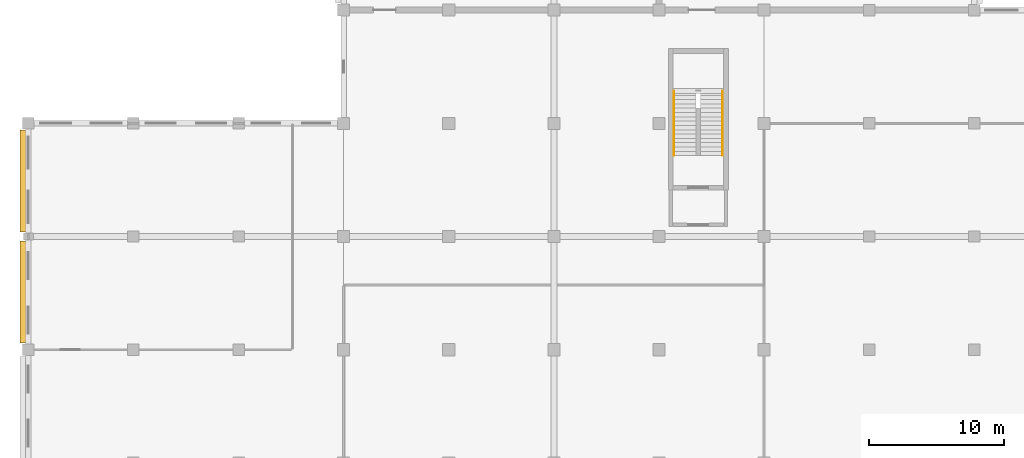
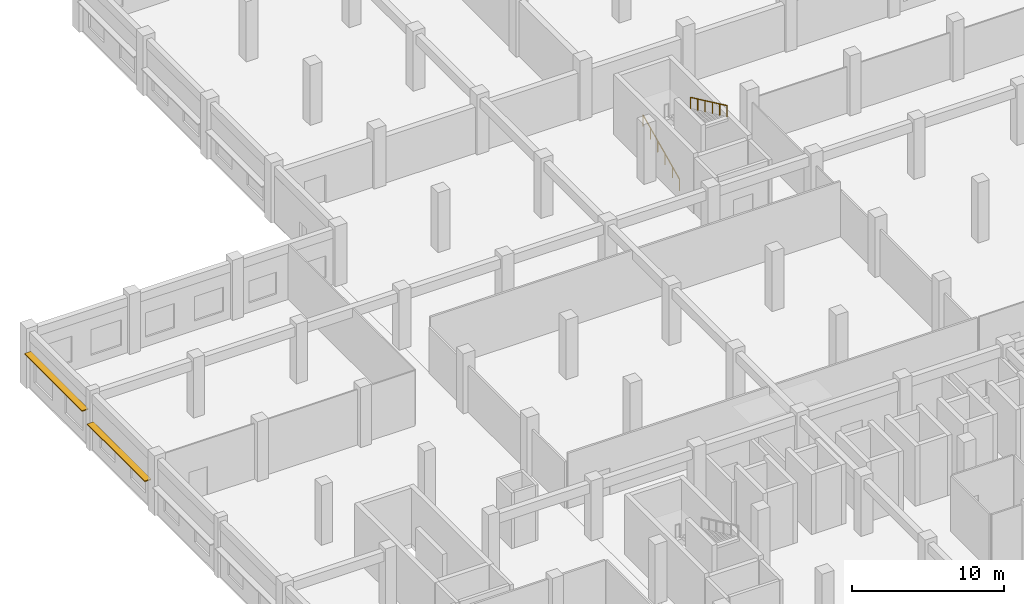
# One storey, part 73 of 79: 2 railings, 2 shading devices.
"""IFC4 building model written with IfcOpenShell, lengths in metres."""

from ifc_helpers import new_model, si_unit, direction, frame, origin, origin_2d, place, context, subcontext, project, spatial, rectangle, circle, extrude, material, layer, layer_set, type_object, element, save


model = new_model("IFC4")

# Units and contexts
model_context = context("Model", 3, precision=1e-05, world=origin(), true_north=direction((0.0, 1.0)))
body_context = subcontext(model_context, "Body", "Model", "MODEL_VIEW")
ifc_project = project(units=[si_unit("LENGTHUNIT", "METRE"), si_unit("AREAUNIT", "SQUARE_METRE"), si_unit("VOLUMEUNIT", "CUBIC_METRE"), si_unit("PLANEANGLEUNIT", "RADIAN"), si_unit("MASSUNIT", "GRAM", prefix="KILO"), si_unit("THERMODYNAMICTEMPERATUREUNIT", "KELVIN"), si_unit("POWERUNIT", "WATT")], contexts=[model_context])

# Site, building, storey
site_placement = place(None, origin())
site = spatial("IfcSite", under=ifc_project, at=site_placement, CompositionType="ELEMENT")
building_placement = place(site_placement, origin())
building = spatial("IfcBuilding", under=site, at=building_placement, Name="Srebrne Nadtorze General Hospital", CompositionType="ELEMENT")
storey_placement = place(building_placement, frame((0.0, 0.0, 4.800048828125)))
storey = spatial("IfcBuildingStorey", under=building, at=storey_placement, Name="L01", CompositionType="ELEMENT", Elevation=4.800048828125)

# Shading devices
ifc_material_1 = material(Name="Anodised Aluminium", Category="aluminium")
ifc_layer = layer(ifc_material_1, 0.080078125)
ifc_layer_set = layer_set([ifc_layer], Name="Anodised Aluminium")
shading_device_type = type_object("IfcShadingDeviceType", Name="Hisashi horizontal aluminium sunshade", PredefinedType="JALOUSIE", material=ifc_layer_set)
for number, where, z_axis, x_axis, name in (
    (1, (-0.3798828125, 71.487548828125, 2.219970703125), (0.0, 0.0, 1.0), (1.0, 0.0, 0.0), "Hisashi horizontal sunshade eave LV-098"),
    (2, (-0.3798828125, 79.71240234375, 2.869873046875), (0.0, 0.0, 1.0), (1.0, 0.0, 0.0), "Hisashi horizontal sunshade eave LV-099"),
):
    element("IfcShadingDevice", number, at=place(storey_placement, frame(where, z_axis=z_axis, x_axis=x_axis)), inside=storey, type_object=shading_device_type, Name=name, PredefinedType="JALOUSIE", context=body_context, shape_type="SweptSolid", body=[
        extrude(rectangle(XDim=0.47998046875, YDim=7.56494140625, at=origin_2d()), origin(), (0.0, 0.0, 1.0), 0.080078125),
    ])

# Railings
ifc_material_2 = material(Name="Stainless Steel 316", Category="steel")
railing_type = type_object("IfcRailingType", Name="Tubular stainless handrail 920", PredefinedType="HANDRAIL", material=ifc_material_2)
railing_1_placement = place(storey_placement, frame((47.929931640625, 81.60009765625, 0.14990234375)))
element("IfcRailing", 3, at=railing_1_placement, inside=storey, type_object=railing_type, Name="Stair flight handrail ST-02-L01 F1", PredefinedType="HANDRAIL", context=body_context, shape_type="SweptSolid", body=[
    extrude(circle(Radius=0.02392578125, at=origin_2d()), frame((0.0, 0.0, 0.89599609375), z_axis=(0.0, 0.905452298538, 0.424448035774), x_axis=(-1.0, 0.0, 0.0)), (0.0, 0.0, 1.0), 5.301025390625),
    extrude(circle(Radius=0.02099609375, at=origin_2d()), origin(), (0.0, 0.0, 1.0), 0.871826171875),
    extrude(circle(Radius=0.02099609375, at=origin_2d()), frame((0.0, 0.9599609375, 0.449951171875)), (0.0, 0.0, 1.0), 0.871826171875),
    extrude(circle(Radius=0.02099609375, at=origin_2d()), frame((0.0, 1.919921875, 0.89990234375)), (0.0, 0.0, 1.0), 0.871826171875),
    extrude(circle(Radius=0.02099609375, at=origin_2d()), frame((0.0, 2.8798828125, 1.35009765625)), (0.0, 0.0, 1.0), 0.871826171875),
    extrude(circle(Radius=0.02099609375, at=origin_2d()), frame((0.0, 3.83984375, 1.800048828125)), (0.0, 0.0, 1.0), 0.871826171875),
    extrude(circle(Radius=0.02099609375, at=origin_2d()), frame((0.0, 4.7998046875, 2.25)), (0.0, 0.0, 1.0), 0.871826171875),
])
railing_2_placement = place(storey_placement, frame((51.52001953125, 86.39990234375, 2.550048828125)))
element("IfcRailing", 4, at=railing_2_placement, inside=storey, type_object=railing_type, Name="Stair flight handrail ST-02-L01 F2", PredefinedType="HANDRAIL", context=body_context, shape_type="SweptSolid", body=[
    extrude(circle(Radius=0.02392578125, at=origin_2d()), frame((0.0, 0.0, 0.89599609375), z_axis=(0.0, -0.905452298538, 0.424448035774), x_axis=(1.0, 0.0, 0.0)), (0.0, 0.0, 1.0), 5.301025390625),
    extrude(circle(Radius=0.02099609375, at=origin_2d()), origin(), (0.0, 0.0, 1.0), 0.871826171875),
    extrude(circle(Radius=0.02099609375, at=origin_2d()), frame((0.0, -0.9599609375, 0.449951171875)), (0.0, 0.0, 1.0), 0.871826171875),
    extrude(circle(Radius=0.02099609375, at=origin_2d()), frame((0.0, -1.919921875, 0.89990234375)), (0.0, 0.0, 1.0), 0.871826171875),
    extrude(circle(Radius=0.02099609375, at=origin_2d()), frame((0.0, -2.8798828125, 1.35009765625)), (0.0, 0.0, 1.0), 0.871826171875),
    extrude(circle(Radius=0.02099609375, at=origin_2d()), frame((0.0, -3.83984375, 1.800048828125)), (0.0, 0.0, 1.0), 0.871826171875),
    extrude(circle(Radius=0.02099609375, at=origin_2d()), frame((0.0, -4.7998046875, 2.25)), (0.0, 0.0, 1.0), 0.871826171875),
])

save(model, "model.ifc")
